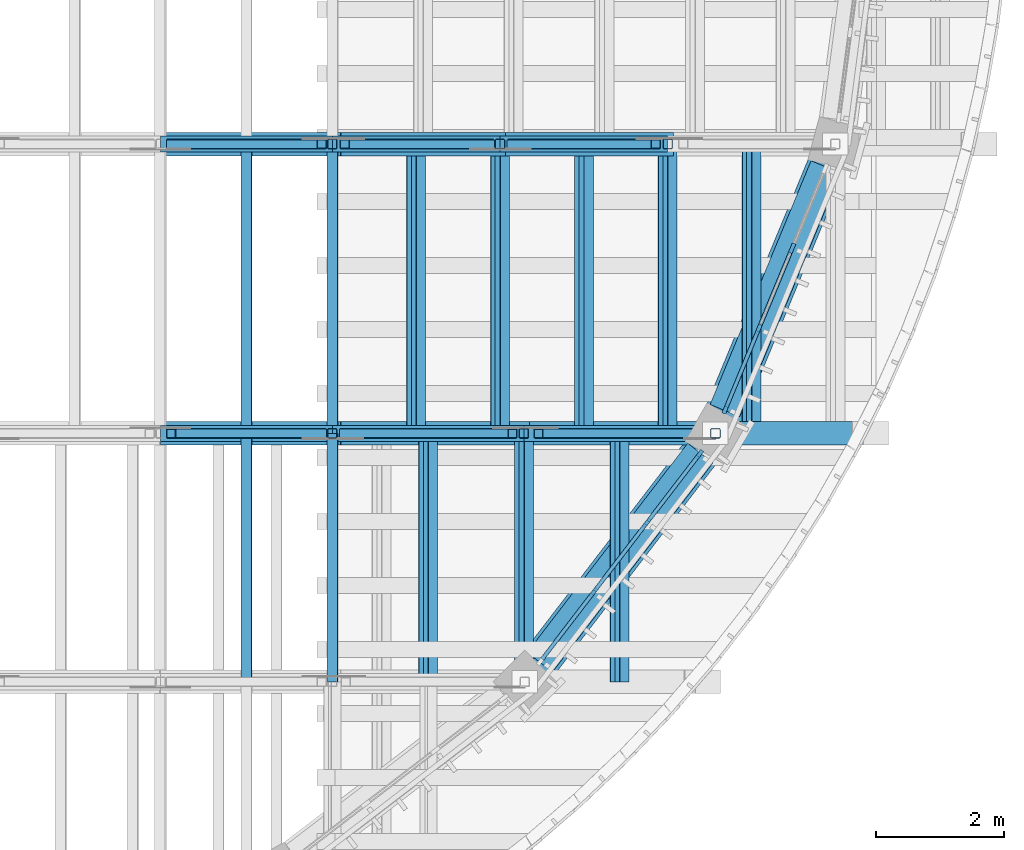
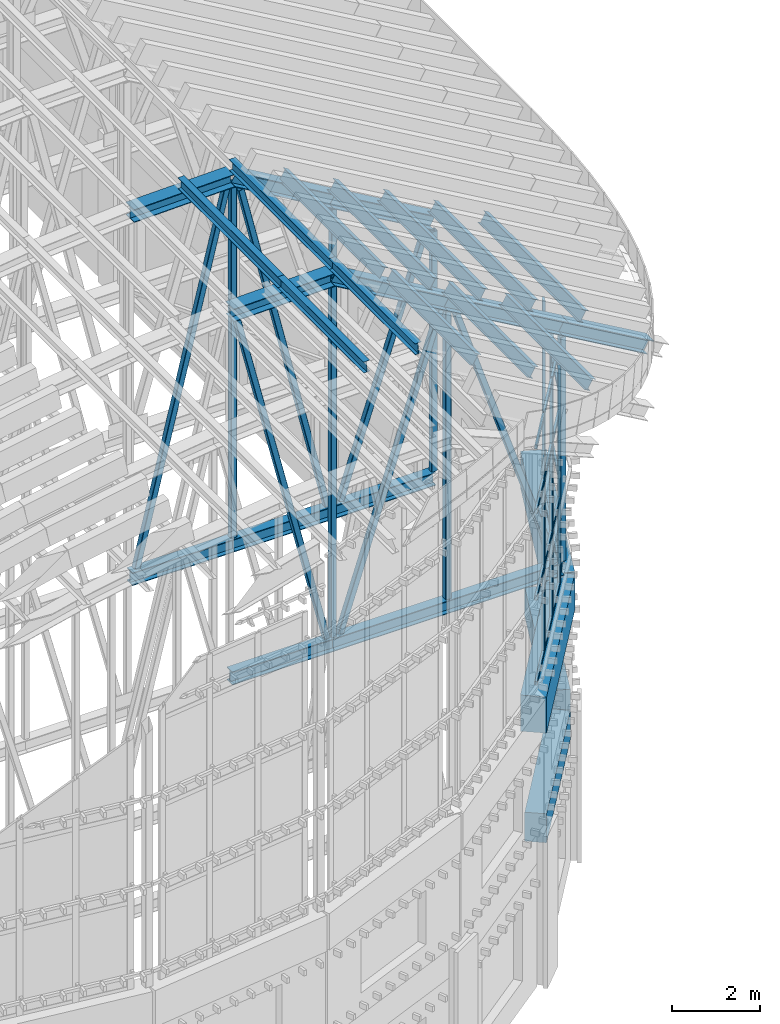
# One storey, part 12 of 105: 60 members, 4 beams, 2 elements without a shape of their own.
"""IFC4 building model written with IfcOpenShell, lengths in metres."""

from ifc_helpers import new_model, si_unit, direction, frame, origin, origin_2d, place, context, subcontext, project, spatial, rectangle, hollow_rectangle, i_section, extrude, material, layer, layer_set, material_profile, profile_set, type_object, element, aggregate, save


model = new_model("IFC4")

# Units and contexts
model_context = context("Model", 3, precision=1e-05, world=origin(), true_north=direction((0.0, 1.0)))
body_context = subcontext(model_context, "Body", "Model", "MODEL_VIEW")
ifc_project = project(units=[si_unit("LENGTHUNIT", "METRE"), si_unit("AREAUNIT", "SQUARE_METRE"), si_unit("VOLUMEUNIT", "CUBIC_METRE"), si_unit("PLANEANGLEUNIT", "RADIAN"), si_unit("MASSUNIT", "GRAM", prefix="KILO")], contexts=[model_context])

# Site, building, storey
site_placement = place(None, origin())
site = spatial("IfcSite", under=ifc_project, at=site_placement, CompositionType="ELEMENT")
building_placement = place(site_placement, origin())
building = spatial("IfcBuilding", under=site, at=building_placement, Name="Wasatch Bagh Community Centre", CompositionType="ELEMENT")
storey_placement = place(building_placement, frame((0.0, 0.0, 16.800048828125)))
storey = spatial("IfcBuildingStorey", under=building, at=storey_placement, Name="L04", CompositionType="ELEMENT", Elevation=16.800048828125)

# Members
ifc_material_1 = material(Name="ASTM A500 Grade C steel", Category="steel")
ifc_material_profile_1 = material_profile(ifc_material_1, hollow_rectangle(XDim=0.15234375, YDim=0.15234375, WallThickness=0.0087890625, InnerFilletRadius=0.0087890625, OuterFilletRadius=0.017822265625, at=origin_2d()), Name="HSS6x6x3/8")
ifc_profile_set_1 = profile_set([ifc_material_profile_1], Name="ASTM A500 Grade C steel")
member_type_1 = type_object("IfcMemberType", Name="HSS6x6x3/8 brace", PredefinedType="BRACE", material=ifc_profile_set_1)
member_1_placement = place(storey_placement, frame((43.7294921875, 30.147216796875, 8.089111328125), z_axis=(0.23546246071, 0.0, 0.97188344445), x_axis=(0.0, 1.0, 0.0)))
element("IfcMember", 1, at=member_1_placement, inside=storey, type_object=member_type_1, Name="MH.TS1.WB11", PredefinedType="BRACE", context=body_context, shape_type="SweptSolid", body=[
    extrude(hollow_rectangle(XDim=0.15234375, YDim=0.15234375, WallThickness=0.0087890625, InnerFilletRadius=0.0087890625, OuterFilletRadius=0.017822265625, at=origin_2d()), origin(), (0.0, 0.0, 1.0), 10.006591796875),
])
member_2_placement = place(storey_placement, frame((48.707763671875, 30.147216796875, 8.088623046875), z_axis=(-0.231072135751, 0.0, 0.972936620793), x_axis=(0.0, -1.0, 0.0)))
element("IfcMember", 2, at=member_2_placement, inside=storey, type_object=member_type_1, Name="MH.TS1.WB12", PredefinedType="BRACE", context=body_context, shape_type="SweptSolid", body=[
    extrude(hollow_rectangle(XDim=0.15234375, YDim=0.15234375, WallThickness=0.0087890625, InnerFilletRadius=0.0087890625, OuterFilletRadius=0.017822265625, at=origin_2d()), origin(), (0.0, 0.0, 1.0), 9.791015625),
])
member_3_placement = place(storey_placement, frame((49.05517578125, 30.147216796875, 8.09521484375), z_axis=(0.316774290985, 0.0, 0.948500948113), x_axis=(0.0, 1.0, 0.0)))
element("IfcMember", 3, at=member_3_placement, inside=storey, type_object=member_type_1, Name="MH.TS1.WB13", PredefinedType="BRACE", context=body_context, shape_type="SweptSolid", body=[
    extrude(hollow_rectangle(XDim=0.15234375, YDim=0.15234375, WallThickness=0.0087890625, InnerFilletRadius=0.0087890625, OuterFilletRadius=0.017822265625, at=origin_2d()), origin(), (0.0, 0.0, 1.0), 7.10205078125),
])
member_4_placement = place(storey_placement, frame((46.0859375, 25.625, 8.089111328125), z_axis=(-0.236715120472, 0.0, 0.971579102153), x_axis=(0.0, -1.0, 0.0)))
element("IfcMember", 4, at=member_4_placement, inside=storey, type_object=member_type_1, Name="MH.TS2.WB10", PredefinedType="BRACE", context=body_context, shape_type="SweptSolid", body=[
    extrude(hollow_rectangle(XDim=0.15234375, YDim=0.15234375, WallThickness=0.0087890625, InnerFilletRadius=0.0087890625, OuterFilletRadius=0.017822265625, at=origin_2d()), origin(), (0.0, 0.0, 1.0), 9.955810546875),
])
member_5_placement = place(storey_placement, frame((46.43310546875, 25.625, 8.0947265625), z_axis=(0.310739857931, 0.0, 0.950494997721), x_axis=(0.0, 1.0, 0.0)))
element("IfcMember", 5, at=member_5_placement, inside=storey, type_object=member_type_1, Name="MH.TS2.WB11", PredefinedType="BRACE", context=body_context, shape_type="SweptSolid", body=[
    extrude(hollow_rectangle(XDim=0.15234375, YDim=0.15234375, WallThickness=0.0087890625, InnerFilletRadius=0.0087890625, OuterFilletRadius=0.017822265625, at=origin_2d()), origin(), (0.0, 0.0, 1.0), 8.469482421875),
])
member_6_placement = place(storey_placement, frame((52.0537109375, 25.625, 8.094970703125), z_axis=(-0.315332472501, 0.0, 0.948981259976), x_axis=(0.0, -1.0, 0.0)))
element("IfcMember", 6, at=member_6_placement, inside=storey, type_object=member_type_1, Name="MH.TS2.WB12", PredefinedType="BRACE", context=body_context, shape_type="SweptSolid", body=[
    extrude(hollow_rectangle(XDim=0.15234375, YDim=0.15234375, WallThickness=0.0087890625, InnerFilletRadius=0.0087890625, OuterFilletRadius=0.017822265625, at=origin_2d()), origin(), (0.0, 0.0, 1.0), 8.18212890625),
])
ifc_material_profile_2 = material_profile(ifc_material_1, hollow_rectangle(XDim=0.15234375, YDim=0.15234375, WallThickness=0.0087890625, InnerFilletRadius=0.0087890625, OuterFilletRadius=0.017822265625, at=origin_2d()), Name="HSS6x6x3/8")
ifc_profile_set_2 = profile_set([ifc_material_profile_2], Name="ASTM A500 Grade C steel")
member_type_2 = type_object("IfcMemberType", Name="HSS6x6x3/8 post", PredefinedType="POST", material=ifc_profile_set_2)
member_7_placement = place(storey_placement, frame((46.25, 30.147216796875, 8.070556640625), z_axis=(0.0, 0.0, 1.0), x_axis=(1.0, 0.0, 0.0)))
element("IfcMember", 7, at=member_7_placement, inside=storey, type_object=member_type_2, Name="MH.TS1.PS12", PredefinedType="POST", context=body_context, shape_type="SweptSolid", body=[
    extrude(hollow_rectangle(XDim=0.15234375, YDim=0.15234375, WallThickness=0.0087890625, InnerFilletRadius=0.0087890625, OuterFilletRadius=0.017822265625, at=origin_2d()), origin(), (0.0, 0.0, 1.0), 9.67431640625),
])
member_8_placement = place(storey_placement, frame((48.870361328125, 30.147216796875, 8.070556640625), z_axis=(0.0, 0.0, 1.0), x_axis=(1.0, 0.0, 0.0)))
element("IfcMember", 8, at=member_8_placement, inside=storey, type_object=member_type_2, Name="MH.TS1.PS13", PredefinedType="POST", context=body_context, shape_type="SweptSolid", body=[
    extrude(hollow_rectangle(XDim=0.15234375, YDim=0.15234375, WallThickness=0.0087890625, InnerFilletRadius=0.0087890625, OuterFilletRadius=0.017822265625, at=origin_2d()), origin(), (0.0, 0.0, 1.0), 8.16015625),
])
member_9_placement = place(storey_placement, frame((51.49072265625, 30.147216796875, 8.070556640625), z_axis=(0.0, 0.0, 1.0), x_axis=(1.0, 0.0, 0.0)))
element("IfcMember", 9, at=member_9_placement, inside=storey, type_object=member_type_2, Name="MH.TS1.PS14", PredefinedType="POST", context=body_context, shape_type="SweptSolid", body=[
    extrude(hollow_rectangle(XDim=0.15234375, YDim=0.15234375, WallThickness=0.0087890625, InnerFilletRadius=0.0087890625, OuterFilletRadius=0.017822265625, at=origin_2d()), origin(), (0.0, 0.0, 1.0), 6.625244140625),
])
member_10_placement = place(storey_placement, frame((46.25, 25.625, 8.070556640625), z_axis=(0.0, 0.0, 1.0), x_axis=(1.0, 0.0, 0.0)))
element("IfcMember", 10, at=member_10_placement, inside=storey, type_object=member_type_2, Name="MH.TS2.PS11", PredefinedType="POST", context=body_context, shape_type="SweptSolid", body=[
    extrude(hollow_rectangle(XDim=0.15234375, YDim=0.15234375, WallThickness=0.0087890625, InnerFilletRadius=0.0087890625, OuterFilletRadius=0.017822265625, at=origin_2d()), origin(), (0.0, 0.0, 1.0), 9.67431640625),
])
member_11_placement = place(storey_placement, frame((49.243896484375, 25.625, 8.070556640625), z_axis=(0.0, 0.0, 1.0), x_axis=(1.0, 0.0, 0.0)))
element("IfcMember", 11, at=member_11_placement, inside=storey, type_object=member_type_2, Name="MH.TS2.PS12", PredefinedType="POST", context=body_context, shape_type="SweptSolid", body=[
    extrude(hollow_rectangle(XDim=0.15234375, YDim=0.15234375, WallThickness=0.0087890625, InnerFilletRadius=0.0087890625, OuterFilletRadius=0.017822265625, at=origin_2d()), origin(), (0.0, 0.0, 1.0), 7.944580078125),
])
member_12_placement = place(storey_placement, frame((52.238037109375, 25.625, 8.070556640625), z_axis=(0.0, 0.0, 1.0), x_axis=(1.0, 0.0, 0.0)))
element("IfcMember", 12, at=member_12_placement, inside=storey, type_object=member_type_2, Name="MH.TS2.PS13", PredefinedType="POST", context=body_context, shape_type="SweptSolid", body=[
    extrude(hollow_rectangle(XDim=0.15234375, YDim=0.15234375, WallThickness=0.0087890625, InnerFilletRadius=0.0087890625, OuterFilletRadius=0.017822265625, at=origin_2d()), origin(), (0.0, 0.0, 1.0), 6.194091796875),
])

# Curtain wall, members
ifc_material_2 = material(Name="Aluminium curtain wall frame with low-iron glass", Category="aluminium")
ifc_layer_1 = layer(ifc_material_2, 0.10009765625)
ifc_layer_set_1 = layer_set([ifc_layer_1], Name="Aluminium curtain wall frame with low-iron glass")
curtain_wall_type_1 = type_object("IfcCurtainWallType", Name="MH end screen curtain wall 5", PredefinedType="NOTDEFINED", material=ifc_layer_set_1)
curtain_wall_1_placement = place(storey_placement, origin())
curtain_wall_1 = element("IfcCurtainWall", 13, at=curtain_wall_1_placement, inside=storey, type_object=curtain_wall_type_1, Name="End screen 10", PredefinedType="NOTDEFINED")
ifc_material_3 = material(Name="Aluminium extrusion", Category="aluminium")
ifc_material_profile_3 = material_profile(ifc_material_3, rectangle(XDim=0.06005859375, YDim=0.159912109375, at=origin_2d()), Name="AL 60x160")
ifc_profile_set_3 = profile_set([ifc_material_profile_3], Name="Aluminium extrusion")
member_type_3 = type_object("IfcMemberType", Name="MH end screen mullion 60x160", PredefinedType="MULLION", material=ifc_profile_set_3)
member_13_placement = place(storey_placement, frame((50.329833984375, 23.138427734375, 7.699951171875), z_axis=(0.0, 0.0, 1.0), x_axis=(-0.79335334027, 0.608761429036, 0.0)))
member_13 = element("IfcMember", 14, at=member_13_placement, type_object=member_type_3, Name="MH-CW5 mullion 2", PredefinedType="MULLION", context=body_context, shape_type="SweptSolid", body=[
    extrude(rectangle(XDim=0.06005859375, YDim=0.159912109375, at=origin_2d()), origin(), (0.0, 0.0, 1.0), 6.60009765625),
])
member_14_placement = place(storey_placement, frame((51.166259765625, 24.228271484375, 7.699951171875), z_axis=(0.0, 0.0, 1.0), x_axis=(-0.79335334027, 0.608761429036, 0.0)))
member_14 = element("IfcMember", 15, at=member_14_placement, type_object=member_type_3, Name="MH-CW5 mullion 3", PredefinedType="MULLION", context=body_context, shape_type="SweptSolid", body=[
    extrude(rectangle(XDim=0.06005859375, YDim=0.159912109375, at=origin_2d()), origin(), (0.0, 0.0, 1.0), 6.60009765625),
])
member_15_placement = place(storey_placement, frame((51.984375, 25.294677734375, 7.699951171875), z_axis=(0.0, 0.0, 1.0), x_axis=(-0.79335334027, 0.608761429036, 0.0)))
member_15 = element("IfcMember", 16, at=member_15_placement, type_object=member_type_3, Name="MH-CW5 mullion 4", PredefinedType="MULLION", context=body_context, shape_type="SweptSolid", body=[
    extrude(rectangle(XDim=0.06005859375, YDim=0.159912109375, at=origin_2d()), origin(), (0.0, 0.0, 1.0), 6.60009765625),
])

ifc_layer_2 = layer(ifc_material_2, 0.10009765625)
ifc_layer_set_2 = layer_set([ifc_layer_2], Name="Aluminium curtain wall frame with low-iron glass")
curtain_wall_type_2 = type_object("IfcCurtainWallType", Name="MH end screen curtain wall 9", PredefinedType="NOTDEFINED", material=ifc_layer_set_2)
curtain_wall_2_placement = place(storey_placement, origin())
curtain_wall_2 = element("IfcCurtainWall", 17, at=curtain_wall_2_placement, inside=storey, type_object=curtain_wall_type_2, Name="End screen 11", PredefinedType="NOTDEFINED")
member_16_placement = place(storey_placement, frame((52.397216796875, 26.009765625, 7.699951171875), z_axis=(0.0, 0.0, 1.0), x_axis=(-0.923879532585, 0.382683432188, 0.0)))
member_16 = element("IfcMember", 18, at=member_16_placement, type_object=member_type_3, Name="MH-CW9 mullion 1", PredefinedType="MULLION", context=body_context, shape_type="SweptSolid", body=[
    extrude(rectangle(XDim=0.06005859375, YDim=0.159912109375, at=origin_2d()), origin(), (0.0, 0.0, 1.0), 5.39990234375),
])
member_17_placement = place(storey_placement, frame((52.91162109375, 27.25146484375, 7.699951171875), z_axis=(0.0, 0.0, 1.0), x_axis=(-0.923879532585, 0.382683432188, 0.0)))
member_17 = element("IfcMember", 19, at=member_17_placement, type_object=member_type_3, Name="MH-CW9 mullion 2", PredefinedType="MULLION", context=body_context, shape_type="SweptSolid", body=[
    extrude(rectangle(XDim=0.06005859375, YDim=0.159912109375, at=origin_2d()), origin(), (0.0, 0.0, 1.0), 5.39990234375),
])
member_18_placement = place(storey_placement, frame((53.4375, 28.520751953125, 7.699951171875), z_axis=(0.0, 0.0, 1.0), x_axis=(-0.923879532585, 0.382683432188, 0.0)))
member_18 = element("IfcMember", 20, at=member_18_placement, type_object=member_type_3, Name="MH-CW9 mullion 3", PredefinedType="MULLION", context=body_context, shape_type="SweptSolid", body=[
    extrude(rectangle(XDim=0.06005859375, YDim=0.159912109375, at=origin_2d()), origin(), (0.0, 0.0, 1.0), 5.39990234375),
])

# Member
ifc_material_profile_4 = material_profile(ifc_material_3, rectangle(XDim=0.06005859375, YDim=0.1201171875, at=origin_2d()), Name="AL 60x120")
ifc_profile_set_4 = profile_set([ifc_material_profile_4], Name="Aluminium extrusion")
member_type_4 = type_object("IfcMemberType", Name="MH end screen transom 60x120", PredefinedType="USERDEFINED", material=ifc_profile_set_4)
member_19_placement = place(storey_placement, frame((49.530029296875, 22.095947265625, 7.72998046875), z_axis=(0.608846614125, 0.793287968186, 0.0), x_axis=(-0.793287968186, 0.608846614125, 0.0)))
member_19 = element("IfcMember", 21, at=member_19_placement, type_object=member_type_4, Name="MH-CW5 transom 1.1", ObjectType="TRANSOM", PredefinedType="USERDEFINED", context=body_context, shape_type="SweptSolid", body=[
    extrude(rectangle(XDim=0.06005859375, YDim=0.1201171875, at=origin_2d()), origin(), (0.0, 0.0, 1.0), 1.283935546875),
])

member_20_placement = place(storey_placement, frame((49.530029296875, 22.095947265625, 10.099853515625), z_axis=(0.608846614125, 0.793287968186, 0.0), x_axis=(-0.793287968186, 0.608846614125, 0.0)))
member_20 = element("IfcMember", 22, at=member_20_placement, type_object=member_type_4, Name="MH-CW5 transom 1.2", ObjectType="TRANSOM", PredefinedType="USERDEFINED", context=body_context, shape_type="SweptSolid", body=[
    extrude(rectangle(XDim=0.06005859375, YDim=0.1201171875, at=origin_2d()), origin(), (0.0, 0.0, 1.0), 1.283935546875),
])

member_21_placement = place(storey_placement, frame((49.530029296875, 22.095947265625, 12.5), z_axis=(0.608846614125, 0.793287968186, 0.0), x_axis=(-0.793287968186, 0.608846614125, 0.0)))
member_21 = element("IfcMember", 23, at=member_21_placement, type_object=member_type_4, Name="MH-CW5 transom 1.3", ObjectType="TRANSOM", PredefinedType="USERDEFINED", context=body_context, shape_type="SweptSolid", body=[
    extrude(rectangle(XDim=0.06005859375, YDim=0.1201171875, at=origin_2d()), origin(), (0.0, 0.0, 1.0), 1.283935546875),
])

member_22_placement = place(storey_placement, frame((49.530029296875, 22.095947265625, 14.27001953125), z_axis=(0.608846614125, 0.793287968186, 0.0), x_axis=(-0.793287968186, 0.608846614125, 0.0)))
member_22 = element("IfcMember", 24, at=member_22_placement, type_object=member_type_4, Name="MH-CW5 transom 1.4", ObjectType="TRANSOM", PredefinedType="USERDEFINED", context=body_context, shape_type="SweptSolid", body=[
    extrude(rectangle(XDim=0.06005859375, YDim=0.1201171875, at=origin_2d()), origin(), (0.0, 0.0, 1.0), 1.283935546875),
])

member_23_placement = place(storey_placement, frame((50.34814453125, 23.162109375, 7.72998046875), z_axis=(0.608704562389, 0.793396972345, 0.0), x_axis=(-0.793396972345, 0.608704562389, 0.0)))
member_23 = element("IfcMember", 25, at=member_23_placement, type_object=member_type_4, Name="MH-CW5 transom 2.1", ObjectType="TRANSOM", PredefinedType="USERDEFINED", context=body_context, shape_type="SweptSolid", body=[
    extrude(rectangle(XDim=0.06005859375, YDim=0.1201171875, at=origin_2d()), origin(), (0.0, 0.0, 1.0), 1.31396484375),
])

member_24_placement = place(storey_placement, frame((50.34814453125, 23.162109375, 10.099853515625), z_axis=(0.608704562389, 0.793396972345, 0.0), x_axis=(-0.793396972345, 0.608704562389, 0.0)))
member_24 = element("IfcMember", 26, at=member_24_placement, type_object=member_type_4, Name="MH-CW5 transom 2.2", ObjectType="TRANSOM", PredefinedType="USERDEFINED", context=body_context, shape_type="SweptSolid", body=[
    extrude(rectangle(XDim=0.06005859375, YDim=0.1201171875, at=origin_2d()), origin(), (0.0, 0.0, 1.0), 1.31396484375),
])

member_25_placement = place(storey_placement, frame((50.34814453125, 23.162109375, 12.5), z_axis=(0.608704562389, 0.793396972345, 0.0), x_axis=(-0.793396972345, 0.608704562389, 0.0)))
member_25 = element("IfcMember", 27, at=member_25_placement, type_object=member_type_4, Name="MH-CW5 transom 2.3", ObjectType="TRANSOM", PredefinedType="USERDEFINED", context=body_context, shape_type="SweptSolid", body=[
    extrude(rectangle(XDim=0.06005859375, YDim=0.1201171875, at=origin_2d()), origin(), (0.0, 0.0, 1.0), 1.31396484375),
])

member_26_placement = place(storey_placement, frame((50.34814453125, 23.162109375, 14.27001953125), z_axis=(0.608704562389, 0.793396972345, 0.0), x_axis=(-0.793396972345, 0.608704562389, 0.0)))
member_26 = element("IfcMember", 28, at=member_26_placement, type_object=member_type_4, Name="MH-CW5 transom 2.4", ObjectType="TRANSOM", PredefinedType="USERDEFINED", context=body_context, shape_type="SweptSolid", body=[
    extrude(rectangle(XDim=0.06005859375, YDim=0.1201171875, at=origin_2d()), origin(), (0.0, 0.0, 1.0), 1.31396484375),
])

member_27_placement = place(storey_placement, frame((51.1845703125, 24.252197265625, 7.72998046875), z_axis=(0.608846614125, 0.793287968186, 0.0), x_axis=(-0.793287968186, 0.608846614125, 0.0)))
member_27 = element("IfcMember", 29, at=member_27_placement, type_object=member_type_4, Name="MH-CW5 transom 3.1", ObjectType="TRANSOM", PredefinedType="USERDEFINED", context=body_context, shape_type="SweptSolid", body=[
    extrude(rectangle(XDim=0.06005859375, YDim=0.1201171875, at=origin_2d()), origin(), (0.0, 0.0, 1.0), 1.283935546875),
])

member_28_placement = place(storey_placement, frame((51.1845703125, 24.252197265625, 10.099853515625), z_axis=(0.608846614125, 0.793287968186, 0.0), x_axis=(-0.793287968186, 0.608846614125, 0.0)))
member_28 = element("IfcMember", 30, at=member_28_placement, type_object=member_type_4, Name="MH-CW5 transom 3.2", ObjectType="TRANSOM", PredefinedType="USERDEFINED", context=body_context, shape_type="SweptSolid", body=[
    extrude(rectangle(XDim=0.06005859375, YDim=0.1201171875, at=origin_2d()), origin(), (0.0, 0.0, 1.0), 1.283935546875),
])

member_29_placement = place(storey_placement, frame((51.1845703125, 24.252197265625, 12.5), z_axis=(0.608846614125, 0.793287968186, 0.0), x_axis=(-0.793287968186, 0.608846614125, 0.0)))
member_29 = element("IfcMember", 31, at=member_29_placement, type_object=member_type_4, Name="MH-CW5 transom 3.3", ObjectType="TRANSOM", PredefinedType="USERDEFINED", context=body_context, shape_type="SweptSolid", body=[
    extrude(rectangle(XDim=0.06005859375, YDim=0.1201171875, at=origin_2d()), origin(), (0.0, 0.0, 1.0), 1.283935546875),
])

member_30_placement = place(storey_placement, frame((51.1845703125, 24.252197265625, 14.27001953125), z_axis=(0.608846614125, 0.793287968186, 0.0), x_axis=(-0.793287968186, 0.608846614125, 0.0)))
member_30 = element("IfcMember", 32, at=member_30_placement, type_object=member_type_4, Name="MH-CW5 transom 3.4", ObjectType="TRANSOM", PredefinedType="USERDEFINED", context=body_context, shape_type="SweptSolid", body=[
    extrude(rectangle(XDim=0.06005859375, YDim=0.1201171875, at=origin_2d()), origin(), (0.0, 0.0, 1.0), 1.283935546875),
])

aggregate(curtain_wall_1, [member_13, member_14, member_15, member_19, member_20, member_21, member_22, member_23, member_24, member_25, member_26, member_27, member_28, member_29, member_30])

member_31_placement = place(storey_placement, frame((52.408935546875, 26.037353515625, 7.72998046875), z_axis=(0.382575710929, 0.923924144834, 0.0), x_axis=(-0.923924144834, 0.382575710929, 0.0)))
member_31 = element("IfcMember", 33, at=member_31_placement, type_object=member_type_4, Name="MH-CW9 transom 1.1", ObjectType="TRANSOM", PredefinedType="USERDEFINED", context=body_context, shape_type="SweptSolid", body=[
    extrude(rectangle(XDim=0.06005859375, YDim=0.1201171875, at=origin_2d()), origin(), (0.0, 0.0, 1.0), 1.283935546875),
])

member_32_placement = place(storey_placement, frame((52.408935546875, 26.037353515625, 10.099853515625), z_axis=(0.382575710929, 0.923924144834, 0.0), x_axis=(-0.923924144834, 0.382575710929, 0.0)))
member_32 = element("IfcMember", 34, at=member_32_placement, type_object=member_type_4, Name="MH-CW9 transom 1.2", ObjectType="TRANSOM", PredefinedType="USERDEFINED", context=body_context, shape_type="SweptSolid", body=[
    extrude(rectangle(XDim=0.06005859375, YDim=0.1201171875, at=origin_2d()), origin(), (0.0, 0.0, 1.0), 1.283935546875),
])

member_33_placement = place(storey_placement, frame((52.408935546875, 26.037353515625, 12.5), z_axis=(0.382575710929, 0.923924144834, 0.0), x_axis=(-0.923924144834, 0.382575710929, 0.0)))
member_33 = element("IfcMember", 35, at=member_33_placement, type_object=member_type_4, Name="MH-CW9 transom 1.3", ObjectType="TRANSOM", PredefinedType="USERDEFINED", context=body_context, shape_type="SweptSolid", body=[
    extrude(rectangle(XDim=0.06005859375, YDim=0.1201171875, at=origin_2d()), origin(), (0.0, 0.0, 1.0), 1.283935546875),
])

member_34_placement = place(storey_placement, frame((52.408935546875, 26.037353515625, 13.070068359375), z_axis=(0.382575710929, 0.923924144834, 0.0), x_axis=(-0.923924144834, 0.382575710929, 0.0)))
member_34 = element("IfcMember", 36, at=member_34_placement, type_object=member_type_4, Name="MH-CW9 transom 1.4", ObjectType="TRANSOM", PredefinedType="USERDEFINED", context=body_context, shape_type="SweptSolid", body=[
    extrude(rectangle(XDim=0.06005859375, YDim=0.1201171875, at=origin_2d()), origin(), (0.0, 0.0, 1.0), 1.283935546875),
])

member_35_placement = place(storey_placement, frame((52.923095703125, 27.279052734375, 7.72998046875), z_axis=(0.382767514508, 0.923844700065, 0.0), x_axis=(-0.923844700065, 0.382767514508, 0.0)))
member_35 = element("IfcMember", 37, at=member_35_placement, type_object=member_type_4, Name="MH-CW9 transom 2.1", ObjectType="TRANSOM", PredefinedType="USERDEFINED", context=body_context, shape_type="SweptSolid", body=[
    extrude(rectangle(XDim=0.06005859375, YDim=0.1201171875, at=origin_2d()), origin(), (0.0, 0.0, 1.0), 1.31396484375),
])

aggregate(curtain_wall_2, [member_16, member_17, member_18, member_31, member_32, member_33, member_34, member_35])

# Beams
ifc_material_4 = material(Name="Concrete C35", Category="concrete")
ifc_material_profile_5 = material_profile(ifc_material_4, rectangle(XDim=0.5, YDim=0.800048828125, at=origin_2d()), Name="RC 500x800")
ifc_profile_set_5 = profile_set([ifc_material_profile_5], Name="Concrete C35")
beam_type_1 = type_object("IfcBeamType", Name="MH ring beam RC 500x800", PredefinedType="BEAM", material=ifc_profile_set_5)
for number, where, z_axis, x_axis, name in (
    (38, (49.493408203125, 22.04833984375, 3.800048828125), (0.60877717335, 0.793341258985, 0.0), (-0.793341258985, 0.60877717335, 0.0), "Ring beam 21.0 S9-S10"),
    (39, (52.3857421875, 25.98193359375, 3.800048828125), (0.382688328955, 0.923877504262, 0.0), (-0.923877504262, 0.382688328955, 0.0), "Ring beam 21.0 S10-S11"),
):
    element("IfcBeam", number, at=place(storey_placement, frame(where, z_axis=z_axis, x_axis=x_axis)), inside=storey, type_object=beam_type_1, Name=name, PredefinedType="BEAM", context=body_context, shape_type="SweptSolid", body=[
        extrude(rectangle(XDim=0.5, YDim=0.800048828125, at=origin_2d()), origin(), (0.0, 0.0, 1.0), 4.121826171875),
    ])
ifc_material_profile_6 = material_profile(ifc_material_4, rectangle(XDim=0.60009765625, YDim=1.0, at=origin_2d()), Name="RC 600x1000")
ifc_profile_set_6 = profile_set([ifc_material_profile_6], Name="Concrete C35")
beam_type_2 = type_object("IfcBeamType", Name="MH ring beam RC 600x1000", PredefinedType="BEAM", material=ifc_profile_set_6)
for number, where, z_axis, x_axis, name in (
    (40, (49.25830078125, 21.74169921875, 7.199951171875), (0.608758193246, 0.793355823169, 0.0), (-0.793355823169, 0.608758193246, 0.0), "Ring beam 24.5 S9-S10"),
    (41, (52.238037109375, 25.625, 7.199951171875), (0.382663090012, 0.923887958328, 0.0), (-0.923887958328, 0.382663090012, 0.0), "Ring beam 24.5 S10-S11"),
):
    element("IfcBeam", number, at=place(storey_placement, frame(where, z_axis=z_axis, x_axis=x_axis)), inside=storey, type_object=beam_type_2, Name=name, PredefinedType="BEAM", context=body_context, shape_type="SweptSolid", body=[
        extrude(rectangle(XDim=0.60009765625, YDim=1.0, at=origin_2d()), origin(), (0.0, 0.0, 1.0), 4.894775390625),
    ])

# Members
ifc_material_5 = material(Name="ASTM A992 Grade 50 steel", Category="steel")
ifc_material_profile_7 = material_profile(ifc_material_5, i_section(OverallWidth=0.164794921875, OverallDepth=0.309814453125, WebThickness=0.005859375, FlangeThickness=0.009765625, at=origin_2d()), Name="W12x26")
ifc_profile_set_7 = profile_set([ifc_material_profile_7], Name="ASTM A992 Grade 50 steel")
member_type_5 = type_object("IfcMemberType", Name="W12x26 purlin", PredefinedType="PURLIN", material=ifc_profile_set_7)
for number, where, z_axis, x_axis, name in (
    (42, (44.907958984375, 21.74169921875, 18.3203125), (0.0, 1.0, 0.0), (-0.999666689368, 0.0, -0.025816858198), "MH.TS3-TS2.PU19"),
    (43, (46.25, 21.74169921875, 18.35498046875), (0.0, 1.0, 0.0), (-0.999666689368, 0.0, -0.025816858198), "MH.TS3-TS2.PU20"),
    (44, (47.7470703125, 21.74169921875, 17.5146484375), (0.0, 1.0, 0.0), (-0.866025403784, 0.0, 0.5), "MH.TS3-TS2.PU21"),
    (45, (49.243896484375, 21.74169921875, 16.650390625), (0.0, 1.0, 0.0), (-0.866025403784, 0.0, 0.5), "MH.TS3-TS2.PU22"),
    (46, (50.740966796875, 21.74169921875, 15.785888671875), (0.0, 1.0, 0.0), (-0.866025403784, 0.0, 0.5), "MH.TS3-TS2.PU23"),
):
    element("IfcMember", number, at=place(storey_placement, frame(where, z_axis=z_axis, x_axis=x_axis)), inside=storey, type_object=member_type_5, Name=name, PredefinedType="PURLIN", context=body_context, shape_type="SweptSolid", body=[
        extrude(i_section(OverallWidth=0.164794921875, OverallDepth=0.309814453125, WebThickness=0.005859375, FlangeThickness=0.009765625, at=origin_2d()), origin(), (0.0, 0.0, 1.0), 3.88330078125),
    ])
for number, where, z_axis, x_axis, name in (
    (47, (44.907958984375, 25.625, 18.3203125), (0.0, 1.0, 0.0), (-0.999666689368, 0.0, -0.025816858198), "MH.TS2-TS1.PU21"),
    (48, (46.25, 25.625, 18.35498046875), (0.0, 1.0, 0.0), (-0.999666689368, 0.0, -0.025816858198), "MH.TS2-TS1.PU22"),
    (49, (47.560302734375, 25.625, 17.622314453125), (0.0, 1.0, 0.0), (-0.866025403784, 0.0, 0.5), "MH.TS2-TS1.PU23"),
    (50, (48.870361328125, 25.625, 16.865966796875), (0.0, 1.0, 0.0), (-0.866025403784, 0.0, 0.5), "MH.TS2-TS1.PU24"),
    (51, (50.1806640625, 25.625, 16.109619140625), (0.0, 1.0, 0.0), (-0.866025403784, 0.0, 0.5), "MH.TS2-TS1.PU25"),
    (52, (51.49072265625, 25.625, 15.35302734375), (0.0, 1.0, 0.0), (-0.866025403784, 0.0, 0.5), "MH.TS2-TS1.PU26"),
    (53, (52.801025390625, 25.625, 14.5966796875), (0.0, 1.0, 0.0), (-0.866025403784, 0.0, 0.5), "MH.TS2-TS1.PU27"),
):
    element("IfcMember", number, at=place(storey_placement, frame(where, z_axis=z_axis, x_axis=x_axis)), inside=storey, type_object=member_type_5, Name=name, PredefinedType="PURLIN", context=body_context, shape_type="SweptSolid", body=[
        extrude(i_section(OverallWidth=0.164794921875, OverallDepth=0.309814453125, WebThickness=0.005859375, FlangeThickness=0.009765625, at=origin_2d()), origin(), (0.0, 0.0, 1.0), 4.522216796875),
    ])
ifc_material_profile_8 = material_profile(ifc_material_5, i_section(OverallWidth=0.25390625, OverallDepth=0.355712890625, WebThickness=0.010498046875, FlangeThickness=0.018310546875, at=origin_2d()), Name="W14x68")
ifc_profile_set_8 = profile_set([ifc_material_profile_8], Name="ASTM A992 Grade 50 steel")
member_type_6 = type_object("IfcMemberType", Name="W14x68 chord", PredefinedType="CHORD", material=ifc_profile_set_8)
member_36_placement = place(storey_placement, frame((43.56591796875, 30.147216796875, 7.892822265625), z_axis=(1.0, 0.0, 0.0), x_axis=(0.0, 1.0, 0.0)))
element("IfcMember", 54, at=member_36_placement, inside=storey, type_object=member_type_6, Name="MH.TS1.BC11", PredefinedType="CHORD", context=body_context, shape_type="SweptSolid", body=[
    extrude(i_section(OverallWidth=0.25390625, OverallDepth=0.355712890625, WebThickness=0.010498046875, FlangeThickness=0.018310546875, at=origin_2d()), origin(), (0.0, 0.0, 1.0), 2.68408203125),
])
for number, where, z_axis, x_axis, name in (
    (55, (46.25, 30.147216796875, 7.892822265625), (1.0, 0.0, 0.0), (0.0, 1.0, 0.0), "MH.TS1.BC12"),
    (56, (48.870361328125, 30.147216796875, 7.892822265625), (1.0, 0.0, 0.0), (0.0, 1.0, 0.0), "MH.TS1.BC13"),
):
    element("IfcMember", number, at=place(storey_placement, frame(where, z_axis=z_axis, x_axis=x_axis)), inside=storey, type_object=member_type_6, Name=name, PredefinedType="CHORD", context=body_context, shape_type="SweptSolid", body=[
        extrude(i_section(OverallWidth=0.25390625, OverallDepth=0.355712890625, WebThickness=0.010498046875, FlangeThickness=0.018310546875, at=origin_2d()), origin(), (0.0, 0.0, 1.0), 2.620361328125),
    ])
member_37_placement = place(storey_placement, frame((43.56591796875, 25.625, 7.892822265625), z_axis=(1.0, 0.0, 0.0), x_axis=(0.0, 1.0, 0.0)))
element("IfcMember", 57, at=member_37_placement, inside=storey, type_object=member_type_6, Name="MH.TS2.BC10", PredefinedType="CHORD", context=body_context, shape_type="SweptSolid", body=[
    extrude(i_section(OverallWidth=0.25390625, OverallDepth=0.355712890625, WebThickness=0.010498046875, FlangeThickness=0.018310546875, at=origin_2d()), origin(), (0.0, 0.0, 1.0), 2.68408203125),
])
member_38_placement = place(storey_placement, frame((46.25, 25.625, 7.892822265625), z_axis=(1.0, 0.0, 0.0), x_axis=(0.0, 1.0, 0.0)))
element("IfcMember", 58, at=member_38_placement, inside=storey, type_object=member_type_6, Name="MH.TS2.BC11", PredefinedType="CHORD", context=body_context, shape_type="SweptSolid", body=[
    extrude(i_section(OverallWidth=0.25390625, OverallDepth=0.355712890625, WebThickness=0.010498046875, FlangeThickness=0.018310546875, at=origin_2d()), origin(), (0.0, 0.0, 1.0), 2.993896484375),
])
member_39_placement = place(storey_placement, frame((49.243896484375, 25.625, 7.892822265625), z_axis=(1.0, 0.0, 0.0), x_axis=(0.0, 1.0, 0.0)))
element("IfcMember", 59, at=member_39_placement, inside=storey, type_object=member_type_6, Name="MH.TS2.BC12", PredefinedType="CHORD", context=body_context, shape_type="SweptSolid", body=[
    extrude(i_section(OverallWidth=0.25390625, OverallDepth=0.355712890625, WebThickness=0.010498046875, FlangeThickness=0.018310546875, at=origin_2d()), origin(), (0.0, 0.0, 1.0), 2.994140625),
])
ifc_material_profile_9 = material_profile(ifc_material_5, i_section(OverallWidth=0.368408203125, OverallDepth=0.355712890625, WebThickness=0.01123046875, FlangeThickness=0.01806640625, at=origin_2d()), Name="W14x90")
ifc_profile_set_9 = profile_set([ifc_material_profile_9], Name="ASTM A992 Grade 50 steel")
member_type_7 = type_object("IfcMemberType", Name="W14x90 chord", PredefinedType="CHORD", material=ifc_profile_set_9)
member_40_placement = place(storey_placement, frame((43.5712890625, 30.147216796875, 17.95263671875), z_axis=(0.999715039998, 0.0, 0.023871296598), x_axis=(0.0, 1.0, 0.0)))
element("IfcMember", 60, at=member_40_placement, inside=storey, type_object=member_type_7, Name="MH.TS1.TC13", PredefinedType="CHORD", context=body_context, shape_type="SweptSolid", body=[
    extrude(i_section(OverallWidth=0.368408203125, OverallDepth=0.355712890625, WebThickness=0.01123046875, FlangeThickness=0.01806640625, at=origin_2d()), origin(), (0.0, 0.0, 1.0), 2.62841796875),
])
member_41_placement = place(storey_placement, frame((46.2939453125, 30.147216796875, 17.99072265625), z_axis=(0.862908331371, 0.0, -0.505360476937), x_axis=(0.0, 1.0, 0.0)))
element("IfcMember", 61, at=member_41_placement, inside=storey, type_object=member_type_7, Name="MH.TS1.TC14", PredefinedType="CHORD", context=body_context, shape_type="SweptSolid", body=[
    extrude(i_section(OverallWidth=0.368408203125, OverallDepth=0.355712890625, WebThickness=0.01123046875, FlangeThickness=0.01806640625, at=origin_2d()), origin(), (0.0, 0.0, 1.0), 2.984619140625),
])
member_42_placement = place(storey_placement, frame((48.871337890625, 30.147216796875, 16.481201171875), z_axis=(0.866033665757, 0.0, -0.499985689571), x_axis=(0.0, 1.0, 0.0)))
element("IfcMember", 62, at=member_42_placement, inside=storey, type_object=member_type_7, Name="MH.TS1.TC15", PredefinedType="CHORD", context=body_context, shape_type="SweptSolid", body=[
    extrude(i_section(OverallWidth=0.368408203125, OverallDepth=0.355712890625, WebThickness=0.01123046875, FlangeThickness=0.01806640625, at=origin_2d()), origin(), (0.0, 0.0, 1.0), 3.02392578125),
])
member_43_placement = place(storey_placement, frame((43.5712890625, 25.625, 17.95263671875), z_axis=(0.999715039998, 0.0, 0.023871296598), x_axis=(0.0, 1.0, 0.0)))
element("IfcMember", 63, at=member_43_placement, inside=storey, type_object=member_type_7, Name="MH.TS2.TC12", PredefinedType="CHORD", context=body_context, shape_type="SweptSolid", body=[
    extrude(i_section(OverallWidth=0.368408203125, OverallDepth=0.355712890625, WebThickness=0.01123046875, FlangeThickness=0.01806640625, at=origin_2d()), origin(), (0.0, 0.0, 1.0), 2.62841796875),
])
member_44_placement = place(storey_placement, frame((46.2939453125, 25.625, 17.99072265625), z_axis=(0.863301584491, 0.0, -0.504688393185), x_axis=(0.0, 1.0, 0.0)))
element("IfcMember", 64, at=member_44_placement, inside=storey, type_object=member_type_7, Name="MH.TS2.TC13", PredefinedType="CHORD", context=body_context, shape_type="SweptSolid", body=[
    extrude(i_section(OverallWidth=0.368408203125, OverallDepth=0.355712890625, WebThickness=0.01123046875, FlangeThickness=0.01806640625, at=origin_2d()), origin(), (0.0, 0.0, 1.0), 3.416259765625),
])
member_45_placement = place(storey_placement, frame((49.244873046875, 25.625, 16.265625), z_axis=(0.866030286288, 0.0, -0.49999154316), x_axis=(0.0, 1.0, 0.0)))
element("IfcMember", 65, at=member_45_placement, inside=storey, type_object=member_type_7, Name="MH.TS2.TC14", PredefinedType="CHORD", context=body_context, shape_type="SweptSolid", body=[
    extrude(i_section(OverallWidth=0.368408203125, OverallDepth=0.355712890625, WebThickness=0.01123046875, FlangeThickness=0.01806640625, at=origin_2d()), origin(), (0.0, 0.0, 1.0), 3.45556640625),
])
member_46_placement = place(storey_placement, frame((52.238525390625, 25.625, 14.537353515625), z_axis=(0.865981297914, 0.0, -0.500076385828), x_axis=(0.0, 1.0, 0.0)))
element("IfcMember", 66, at=member_46_placement, inside=storey, type_object=member_type_7, Name="MH.TS2.TC15", PredefinedType="CHORD", context=body_context, shape_type="SweptSolid", body=[
    extrude(i_section(OverallWidth=0.368408203125, OverallDepth=0.355712890625, WebThickness=0.01123046875, FlangeThickness=0.01806640625, at=origin_2d()), origin(), (0.0, 0.0, 1.0), 2.5673828125),
])

save(model, "model.ifc")
